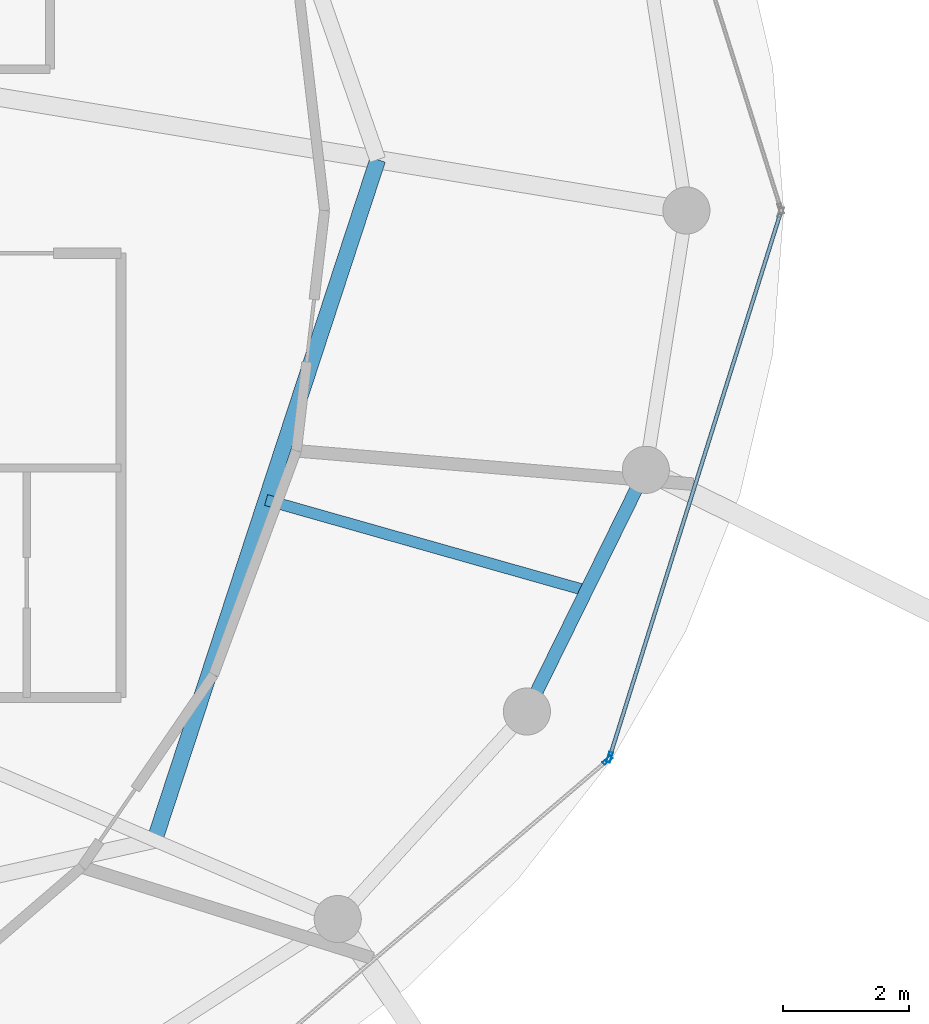
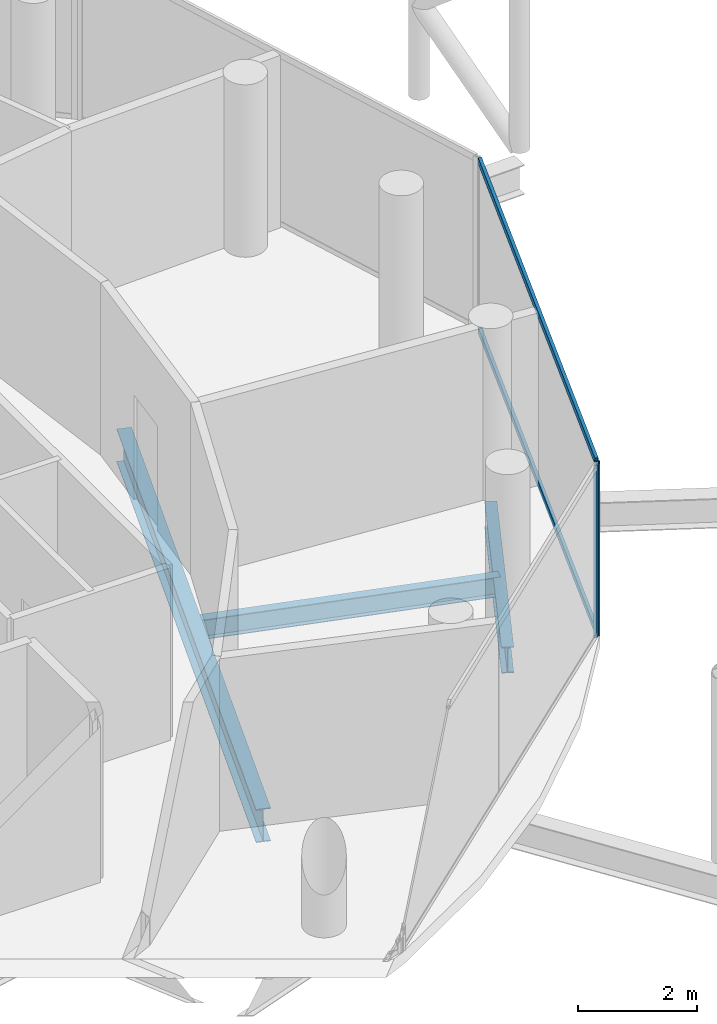
# One storey, part 10 of 24: 4 members, 3 beams, 2 elements without a shape of their own.
"""IFC4 building model written with IfcOpenShell, lengths in metres."""

import ifcopenshell
import ifcopenshell.guid

model = None  # the IFC model being written
_history = None  # IfcOwnerHistory: only IFC2X3 demands one
_inside = {}  # id of a spatial element -> (the spatial element, [elements in it])
_under = {}  # id of a project, library or spatial element -> (it, [spatial elements below it])
_declared = {}  # id of a project -> (the project, [libraries it declares])
_typed = {}  # id of a type object -> (the type object, [elements of that type])
_made_of = {}  # id of a material, layer set ... -> (it, [elements and type objects made of it])


def new_model(schema):
    """Start an empty IFC model of exactly this schema.

    Asked for "IFC4X3", IfcOpenShell would pick the latest addendum, in which some entities
    have other attributes; the version numbers below select the first issue.
    IFC2X3 requires an IfcOwnerHistory on every rooted entity: one is made here for all.
    """
    global model, _history
    if schema == "IFC4X3":
        model = ifcopenshell.file(schema_version=(4, 3, 0, 0))
    else:
        model = ifcopenshell.file(schema=schema)
    _inside.clear()
    _under.clear()
    _declared.clear()
    _typed.clear()
    _made_of.clear()
    _history = None
    if model.schema == "IFC2X3":
        org = make("IfcOrganization", Name="unknown")
        user = make(
            "IfcPersonAndOrganization",
            ThePerson=make("IfcPerson", FamilyName="unknown"),
            TheOrganization=org,
        )
        app = make(
            "IfcApplication",
            ApplicationDeveloper=org,
            Version="unknown",
            ApplicationFullName="unknown",
            ApplicationIdentifier="unknown",
        )
        _history = make(
            "IfcOwnerHistory",
            OwningUser=user,
            OwningApplication=app,
            ChangeAction="ADDED",
            CreationDate=0,
        )
    return model


def make(cls, **values):
    """One entity of the class cls with the attributes given. An attribute that is None is left unset."""
    return model.create_entity(
        cls, **{name: value for name, value in values.items() if value is not None}
    )


def rooted(cls, **values):
    """An entity with a GlobalId (a new one), such as an element, a storey or a relation."""
    return make(cls, GlobalId=ifcopenshell.guid.new(), OwnerHistory=_history, **values)


def si_unit(unit_type, name, prefix=None):
    """IfcSIUnit, for example si_unit("LENGTHUNIT", "METRE", prefix="MILLI")."""
    return make("IfcSIUnit", UnitType=unit_type, Prefix=prefix, Name=name)


def assignment(units):
    """IfcUnitAssignment: the units of a project."""
    return None if units is None else make("IfcUnitAssignment", Units=units)


def point(xyz):
    """IfcCartesianPoint."""
    return None if xyz is None else make("IfcCartesianPoint", Coordinates=xyz)


def direction(xyz):
    """IfcDirection."""
    return None if xyz is None else make("IfcDirection", DirectionRatios=xyz)


def frame(location, z_axis=None, x_axis=None):
    """IfcAxis2Placement3D, a coordinate frame: its origin and axes. An axis left out is left unset."""
    return make(
        "IfcAxis2Placement3D",
        Location=point(location),
        Axis=direction(z_axis),
        RefDirection=direction(x_axis),
    )


def frame_2d(location, x_axis=None):
    """IfcAxis2Placement2D, a coordinate frame in the plane: its origin and x axis."""
    return make(
        "IfcAxis2Placement2D", Location=point(location), RefDirection=direction(x_axis)
    )


def origin():
    """The frame at (0, 0, 0) with its axes left unset."""
    return frame((0.0, 0.0, 0.0))


def origin_2d():
    """The frame at (0, 0) in the plane with its x axis left unset."""
    return frame_2d((0.0, 0.0))


def place(relative_to, where):
    """IfcLocalPlacement: puts the frame where relative to a parent placement (None: the world)."""
    return make(
        "IfcLocalPlacement", PlacementRelTo=relative_to, RelativePlacement=where
    )


def context(
    kind, dimensions, precision=None, world=None, true_north=None, identifier=None
):
    """IfcGeometricRepresentationContext, for example the 3D "Model" context."""
    return make(
        "IfcGeometricRepresentationContext",
        ContextIdentifier=identifier,
        ContextType=kind,
        CoordinateSpaceDimension=dimensions,
        Precision=precision,
        WorldCoordinateSystem=world,
        TrueNorth=true_north,
    )


def subcontext(parent, identifier, kind, view, scale=None):
    """IfcGeometricRepresentationSubContext, for example "Body" below "Model"."""
    return make(
        "IfcGeometricRepresentationSubContext",
        ContextIdentifier=identifier,
        ContextType=kind,
        ParentContext=parent,
        TargetScale=scale,
        TargetView=view,
    )


def project(units=None, contexts=None):
    """IfcProject with its units and contexts."""
    return rooted(
        "IfcProject",
        Name="project",
        RepresentationContexts=contexts,
        UnitsInContext=assignment(units),
    )


def spatial(cls, under=None, at=None, **own):
    """A site, building, storey or space (cls), placed at a placement, below another one or the project."""
    s = rooted(cls, ObjectPlacement=at, **own)
    if under is not None:
        _under.setdefault(under.id(), (under, []))[1].append(s)
    return s


def profile(cls, at=None, kind="AREA", **sizes):
    """A parametric profile (cls). Its sizes go by their IFC names, for example OverallWidth=200.0."""
    return make(cls, ProfileType=kind, Position=at, **sizes)


def hollow_rectangle(**sizes):
    """IfcRectangleHollowProfileDef."""
    return profile("IfcRectangleHollowProfileDef", **sizes)


def i_section(**sizes):
    """IfcIShapeProfileDef."""
    return profile("IfcIShapeProfileDef", **sizes)


def extrude(swept, where, along, depth):
    """IfcExtrudedAreaSolid: the profile swept, set in the frame where, extruded along a direction by depth."""
    return make(
        "IfcExtrudedAreaSolid",
        SweptArea=swept,
        Position=where,
        ExtrudedDirection=direction(along),
        Depth=depth,
    )


def shape(context_of_items, identifier, shape_type, items):
    """IfcShapeRepresentation: the items that make up one representation, for example the "Body"."""
    return make(
        "IfcShapeRepresentation",
        ContextOfItems=context_of_items,
        RepresentationIdentifier=identifier,
        RepresentationType=shape_type,
        Items=items,
    )


def material(Name=None, Category=None):
    """IfcMaterial."""
    return make("IfcMaterial", Name=Name, Category=Category)


def layer(
    of_material, thickness, ventilated=None, Name=None, Category=None, Priority=None
):
    """IfcMaterialLayer: one layer of a wall or slab, of a material (None: an air gap)."""
    return make(
        "IfcMaterialLayer",
        Material=of_material,
        LayerThickness=thickness,
        IsVentilated=ventilated,
        Name=Name,
        Category=Category,
        Priority=Priority,
    )


def layer_set(layers, Name=None):
    """IfcMaterialLayerSet."""
    return make("IfcMaterialLayerSet", MaterialLayers=layers, LayerSetName=Name)


def material_profile(
    of_material, cross_section, Name=None, Category=None, Priority=None
):
    """IfcMaterialProfile: a cross section and its material."""
    return make(
        "IfcMaterialProfile",
        Name=Name,
        Material=of_material,
        Profile=cross_section,
        Priority=Priority,
        Category=Category,
    )


def profile_set(profiles, Name=None, composite=None):
    """IfcMaterialProfileSet."""
    return make(
        "IfcMaterialProfileSet",
        Name=Name,
        MaterialProfiles=profiles,
        CompositeProfile=composite,
    )


def made_of(thing, what):
    """Note that an element or type object is made of a material, layer set ...; save() writes the relation."""
    if what is not None:
        _made_of.setdefault(what.id(), (what, []))[1].append(thing)
    return thing


def type_object(cls, material=None, **own):
    """A type object (cls), such as IfcWallType, which elements share."""
    return made_of(rooted(cls, **own), material)


def element(
    cls,
    number,
    at=None,
    inside=None,
    cuts=None,
    type_object=None,
    material=None,
    context=None,
    identifier="Body",
    shape_type=None,
    held_by="IfcProductDefinitionShape",
    body=None,
    shapes=None,
    **own,
):
    """One element of the class cls, such as IfcWall. Its Tag is "e" and its number.

    at: its placement. inside: the storey or other place that contains it. cuts: it is an
    opening in that element (IfcRelVoidsElement). A single representation is given by context,
    identifier, shape_type and body (its items); several are given by shapes. held_by: the class
    of the entity that holds the representations. save() writes the other relations.
    """
    e = rooted(cls, Tag="e%d" % number, ObjectPlacement=at, **own)
    if body is not None:
        shapes = [shape(context, identifier, shape_type, body)]
    if shapes is not None:
        e.Representation = make(held_by, Representations=shapes)
    if inside is not None:
        _inside.setdefault(inside.id(), (inside, []))[1].append(e)
    if cuts is not None:
        rooted(
            "IfcRelVoidsElement", RelatingBuildingElement=cuts, RelatedOpeningElement=e
        )
    if type_object is not None:
        _typed.setdefault(type_object.id(), (type_object, []))[1].append(e)
    return made_of(e, material)


def aggregate(whole, parts):
    """IfcRelAggregates: a whole, such as a stair, and the parts it consists of."""
    return rooted("IfcRelAggregates", RelatingObject=whole, RelatedObjects=parts)


def save(model, path):
    """Write the relations noted so far, then the file.

    IfcRelAggregates (storeys below a building ...), IfcRelContainedInSpatialStructure (elements
    in a storey), IfcRelDefinesByType, IfcRelAssociatesMaterial and IfcRelDeclares: one each for
    every whole, place, type object, material and project.
    """
    for whole, parts in _under.values():
        aggregate(whole, parts)
    for where, things in _inside.values():
        rooted(
            "IfcRelContainedInSpatialStructure",
            RelatedElements=things,
            RelatingStructure=where,
        )
    for kind, things in _typed.values():
        rooted("IfcRelDefinesByType", RelatedObjects=things, RelatingType=kind)
    for what, things in _made_of.values():
        rooted("IfcRelAssociatesMaterial", RelatedObjects=things, RelatingMaterial=what)
    for by, libraries in _declared.values():
        rooted("IfcRelDeclares", RelatingContext=by, RelatedDefinitions=libraries)
    model.write(path)


model = new_model("IFC4")

# Units and contexts
model_context = context("Model", 3, precision=1e-05, world=origin(), true_north=direction((0.0, 1.0)))
body_context = subcontext(model_context, "Body", "Model", "MODEL_VIEW")
ifc_project = project(units=[si_unit("LENGTHUNIT", "METRE"), si_unit("AREAUNIT", "SQUARE_METRE"), si_unit("VOLUMEUNIT", "CUBIC_METRE"), si_unit("PLANEANGLEUNIT", "RADIAN"), si_unit("MASSUNIT", "GRAM", prefix="KILO")], contexts=[model_context])

# Site, building, storey
site_placement = place(None, origin())
site = spatial("IfcSite", under=ifc_project, at=site_placement, CompositionType="ELEMENT")
building_placement = place(site_placement, origin())
building = spatial("IfcBuilding", under=site, at=building_placement, Name="Nuhasar Tower", CompositionType="ELEMENT")
storey_placement = place(building_placement, frame((0.0, 0.0, 293.60009765625)))
storey = spatial("IfcBuildingStorey", under=building, at=storey_placement, Name="L73", CompositionType="ELEMENT", Elevation=293.60009765625)

# Beams
ifc_material_1 = material(Name="Steel S355", Category="steel")
ifc_material_profile_1 = material_profile(ifc_material_1, i_section(OverallWidth=0.25390625, OverallDepth=0.68408203125, WebThickness=0.012451171875, FlangeThickness=0.018798828125, at=origin_2d()), Name="W27X94")
ifc_profile_set_1 = profile_set([ifc_material_profile_1], Name="Steel S355")
beam_type_1 = type_object("IfcBeamType", Name="BM-INRING-W27X94", PredefinedType="BEAM", material=ifc_profile_set_1)
beam_1_placement = place(storey_placement, frame((49.48388671875, 16.77392578125, -0.60205078125), z_axis=(0.311483801376, 0.950251462235, 0.0), x_axis=(-0.950251462235, 0.311483801376, 0.0)))
element("IfcBeam", 1, at=beam_1_placement, inside=storey, type_object=beam_type_1, Name="L73 Inner Header Beam 03", PredefinedType="BEAM", context=body_context, shape_type="SweptSolid", body=[
    extrude(i_section(OverallWidth=0.25390625, OverallDepth=0.68408203125, WebThickness=0.012451171875, FlangeThickness=0.018798828125, at=origin_2d()), origin(), (0.0, 0.0, 1.0), 11.403564453125),
])
ifc_material_profile_2 = material_profile(ifc_material_1, i_section(OverallWidth=0.177978515625, OverallDepth=0.406005859375, WebThickness=0.0078125, FlangeThickness=0.0126953125, at=origin_2d()), Name="W16X40")
ifc_profile_set_2 = profile_set([ifc_material_profile_2], Name="Steel S355")
beam_type_2 = type_object("IfcBeamType", Name="BM-JST-W16X40", PredefinedType="JOIST", material=ifc_profile_set_2)
beam_2_placement = place(storey_placement, frame((51.260009765625, 22.19189453125, -0.463134765625), z_axis=(0.962154316042, -0.272505178156, 0.0), x_axis=(0.272505178156, 0.962154316042, 0.0)))
element("IfcBeam", 2, at=beam_2_placement, inside=storey, type_object=beam_type_2, Name="L73 Secondary Floor Joist 03", PredefinedType="JOIST", context=body_context, shape_type="SweptSolid", body=[
    extrude(i_section(OverallWidth=0.177978515625, OverallDepth=0.406005859375, WebThickness=0.0078125, FlangeThickness=0.0126953125, at=origin_2d()), origin(), (0.0, 0.0, 1.0), 5.29833984375),
])
ifc_material_profile_3 = material_profile(ifc_material_1, i_section(OverallWidth=0.2099609375, OverallDepth=0.537109375, WebThickness=0.010986328125, FlangeThickness=0.017333984375, at=origin_2d()), Name="W21X68")
ifc_profile_set_3 = profile_set([ifc_material_profile_3], Name="Steel S355")
beam_type_3 = type_object("IfcBeamType", Name="BM-RING-W21X68", PredefinedType="SPANDREL", material=ifc_profile_set_3)
beam_3_placement = place(storey_placement, frame((55.410888671875, 18.824951171875, -0.529052734375), z_axis=(0.441510561726, 0.897256052576, 0.0), x_axis=(-0.897256052576, 0.441510561726, 0.0)))
element("IfcBeam", 3, at=beam_3_placement, inside=storey, type_object=beam_type_3, Name="L73 Perimeter Ring Spandrel 23", PredefinedType="SPANDREL", context=body_context, shape_type="SweptSolid", body=[
    extrude(i_section(OverallWidth=0.2099609375, OverallDepth=0.537109375, WebThickness=0.010986328125, FlangeThickness=0.017333984375, at=origin_2d()), origin(), (0.0, 0.0, 1.0), 4.28759765625),
])

# Curtain wall, member
ifc_material_2 = material(Name="Aluminium 6063-T6", Category="aluminium")
ifc_layer = layer(ifc_material_2, 0.18994140625)
ifc_layer_set = layer_set([ifc_layer], Name="Aluminium 6063-T6")
curtain_wall_type = type_object("IfcCurtainWallType", Name="CW-Z4-PEN", PredefinedType="NOTDEFINED", material=ifc_layer_set)
curtain_wall_1_placement = place(storey_placement, origin())
curtain_wall_1 = element("IfcCurtainWall", 4, at=curtain_wall_1_placement, inside=storey, type_object=curtain_wall_type, Name="L73 Unitised Curtain Wall 11", PredefinedType="NOTDEFINED")
ifc_material_profile_4 = material_profile(ifc_material_2, hollow_rectangle(XDim=0.06005859375, YDim=0.1650390625, WallThickness=0.0048828125, at=origin_2d()), Name="CWM-5")
ifc_profile_set_4 = profile_set([ifc_material_profile_4], Name="Aluminium 6063-T6")
member_type_1 = type_object("IfcMemberType", Name="CW-MUL-S5", PredefinedType="MULLION", material=ifc_profile_set_4)
member_1_placement = place(storey_placement, frame((56.6962890625, 18.050537109375, 0.0), z_axis=(0.0, 0.0, 1.0), x_axis=(-0.649141996205, 0.760667252327, 0.0)))
member_1 = element("IfcMember", 5, at=member_1_placement, type_object=member_type_1, Name="CW-Z4 mullion 2", PredefinedType="MULLION", context=body_context, shape_type="SweptSolid", body=[
    extrude(hollow_rectangle(XDim=0.06005859375, YDim=0.1650390625, WallThickness=0.0048828125, at=origin_2d()), origin(), (0.0, 0.0, 1.0), 3.539794921875),
])
aggregate(curtain_wall_1, [member_1])

# Curtain wall, members
curtain_wall_2_placement = place(storey_placement, origin())
curtain_wall_2 = element("IfcCurtainWall", 6, at=curtain_wall_2_placement, inside=storey, type_object=curtain_wall_type, Name="L73 Unitised Curtain Wall 12", PredefinedType="NOTDEFINED")
member_2_placement = place(storey_placement, frame((56.72802734375, 18.0986328125, 0.0), z_axis=(0.0, 0.0, 1.0), x_axis=(-0.954078526601, 0.299556614146, 0.0)))
member_2 = element("IfcMember", 7, at=member_2_placement, type_object=member_type_1, Name="CW-Z4 mullion 1", PredefinedType="MULLION", context=body_context, shape_type="SweptSolid", body=[
    extrude(hollow_rectangle(XDim=0.06005859375, YDim=0.1650390625, WallThickness=0.0048828125, at=origin_2d()), origin(), (0.0, 0.0, 1.0), 3.539794921875),
])
ifc_material_profile_5 = material_profile(ifc_material_2, hollow_rectangle(XDim=0.06005859375, YDim=0.135009765625, WallThickness=0.00439453125, at=origin_2d()), Name="CWT-5")
ifc_profile_set_5 = profile_set([ifc_material_profile_5], Name="Aluminium 6063-T6")
member_type_2 = type_object("IfcMemberType", Name="CW-TRN-S5", PredefinedType="USERDEFINED", material=ifc_profile_set_5)
member_3_placement = place(storey_placement, frame((56.737060546875, 18.127197265625, 0.02978515625), z_axis=(0.29956014073, 0.954077419335, 0.0), x_axis=(-0.954077419335, 0.29956014073, 0.0)))
member_3 = element("IfcMember", 8, at=member_3_placement, type_object=member_type_2, Name="CW-Z4 transom 1.1", ObjectType="TRANSOM", PredefinedType="USERDEFINED", context=body_context, shape_type="SweptSolid", body=[
    extrude(hollow_rectangle(XDim=0.06005859375, YDim=0.135009765625, WallThickness=0.00439453125, at=origin_2d()), origin(), (0.0, 0.0, 1.0), 9.0302734375),
])
member_4_placement = place(storey_placement, frame((56.737060546875, 18.127197265625, 3.510009765625), z_axis=(0.29956014073, 0.954077419335, 0.0), x_axis=(-0.954077419335, 0.29956014073, 0.0)))
member_4 = element("IfcMember", 9, at=member_4_placement, type_object=member_type_2, Name="CW-Z4 transom 1.2", ObjectType="TRANSOM", PredefinedType="USERDEFINED", context=body_context, shape_type="SweptSolid", body=[
    extrude(hollow_rectangle(XDim=0.06005859375, YDim=0.135009765625, WallThickness=0.00439453125, at=origin_2d()), origin(), (0.0, 0.0, 1.0), 9.0302734375),
])
aggregate(curtain_wall_2, [member_2, member_3, member_4])

save(model, "model.ifc")
